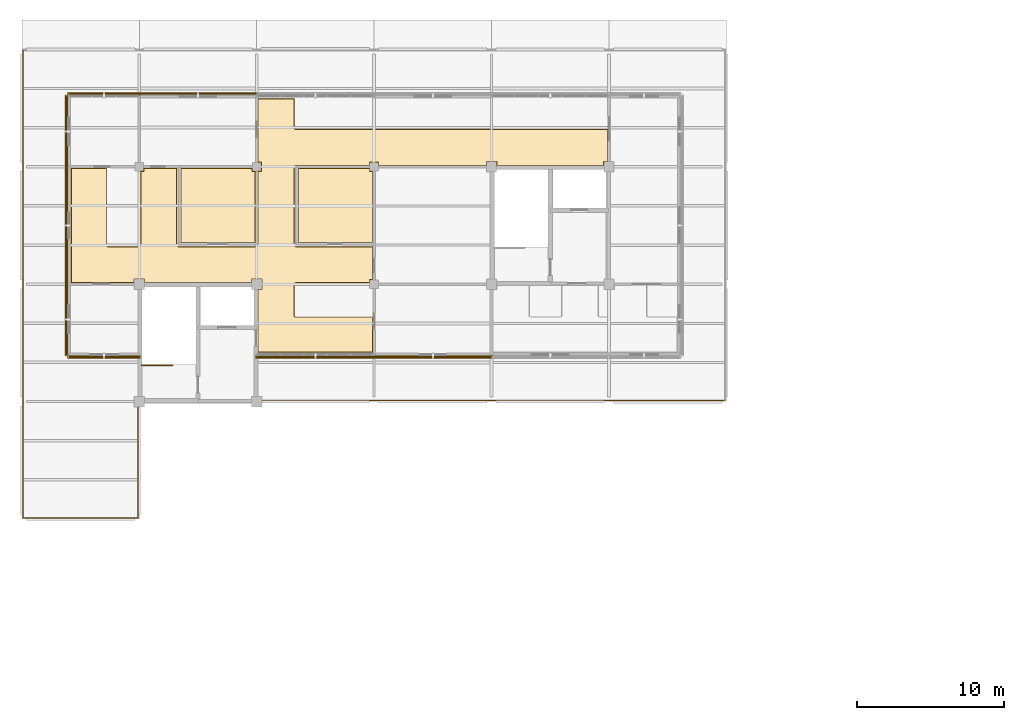
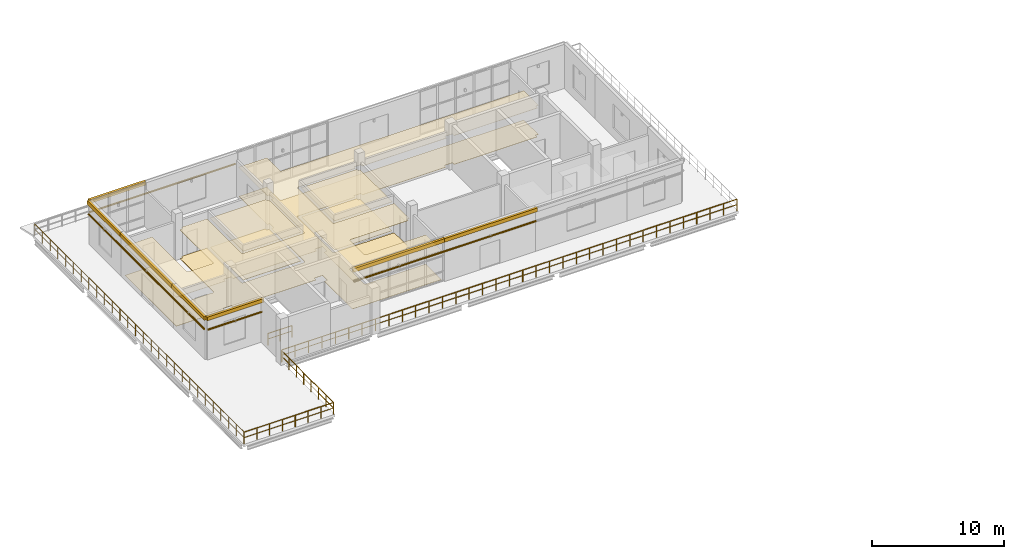
# One storey, part 21 of 24: 13 coverings, 8 shading devices, 5 railings.
"""IFC4 building model written with IfcOpenShell, lengths in metres."""

from ifc_helpers import new_model, si_unit, derived_unit, direction, frame, origin, origin_2d, place, context, subcontext, project, spatial, polyline, rectangle, circle, outline, extrude, material, layer, layer_set, material_profile, profile_set, type_object, element, save


model = new_model("IFC4")

# Units and contexts
model_context = context("Model", 3, precision=1e-05, world=origin(), true_north=direction((0.0, 1.0)))
body_context = subcontext(model_context, "Body", "Model", "MODEL_VIEW")
ifc_project = project(units=[si_unit("LENGTHUNIT", "METRE"), si_unit("AREAUNIT", "SQUARE_METRE"), si_unit("VOLUMEUNIT", "CUBIC_METRE"), si_unit("PLANEANGLEUNIT", "RADIAN"), si_unit("MASSUNIT", "GRAM", prefix="KILO"), derived_unit("THERMALTRANSMITTANCEUNIT", [(si_unit("MASSUNIT", "GRAM", prefix="KILO"), 1), (si_unit("TIMEUNIT", "SECOND"), -3), (si_unit("THERMODYNAMICTEMPERATUREUNIT", "KELVIN"), -1)])], contexts=[model_context])

# Site, building, storey
site_placement = place(None, origin())
site = spatial("IfcSite", under=ifc_project, at=site_placement, CompositionType="ELEMENT")
building_placement = place(site_placement, origin())
building = spatial("IfcBuilding", under=site, at=building_placement, Name="Veyamyaing Civic Hall", CompositionType="ELEMENT")
storey_placement = place(building_placement, frame((0.0, 0.0, 25.739990234375)))
storey = spatial("IfcBuildingStorey", under=building, at=storey_placement, Name="L06", CompositionType="ELEMENT", Elevation=25.739990234375)

# Coverings
ifc_material_1 = material(Name="White powder-coated aluminium 6063-T6", Category="aluminium")
ifc_layer_1 = layer(ifc_material_1, 0.2099609375, Name="White powder-coated aluminium 6063-T6")
ifc_layer_set_1 = layer_set([ifc_layer_1], Name="White powder-coated aluminium 6063-T6")
covering_type_1 = type_object("IfcCoveringType", Name="CL-03", PredefinedType="CLADDING", material=ifc_layer_set_1)
covering_1_placement = place(storey_placement, frame((5.60009765625, 91.0400390625, 3.73974609375), z_axis=(0.0, 0.0, 1.0), x_axis=(1.0, 0.0, 0.0)))
element("IfcCovering", 1, at=covering_1_placement, inside=storey, type_object=covering_type_1, Name="Executive fascia white ribbon CL-03 L06-NW-S-0", PredefinedType="CLADDING", context=body_context, shape_type="SweptSolid", body=[
    extrude(rectangle(XDim=4.97998046875, YDim=0.2099609375, at=origin_2d()), origin(), (0.0, 0.0, 1.0), 0.340087890625),
])
for number, where, z_axis, x_axis, name in (
    (2, (20.0, 91.0400390625, 3.73974609375), (0.0, 0.0, 1.0), (1.0, 0.0, 0.0), "Executive fascia white ribbon CL-03 L06-NW-S-2"),
    (3, (28.0, 91.0400390625, 3.73974609375), (0.0, 0.0, 1.0), (1.0, 0.0, 0.0), "Executive fascia white ribbon CL-03 L06-NW-S-3"),
):
    element("IfcCovering", number, at=place(storey_placement, frame(where, z_axis=z_axis, x_axis=x_axis)), inside=storey, type_object=covering_type_1, Name=name, PredefinedType="CLADDING", context=body_context, shape_type="SweptSolid", body=[
        extrude(rectangle(XDim=8.179931640625, YDim=0.2099609375, at=origin_2d()), origin(), (0.0, 0.0, 1.0), 0.340087890625),
    ])
for number, where, z_axis, x_axis, name in (
    (4, (5.60009765625, 108.9599609375, 3.73974609375), (0.0, 0.0, 1.0), (1.0, 0.0, 0.0), "Executive fascia white ribbon CL-03 L06-NW-N-0"),
    (5, (3.0400390625, 93.60009765625, 3.73974609375), (0.0, 0.0, 1.0), (0.0, 1.0, 0.0), "Executive fascia white ribbon CL-03 L06-NW-W-0"),
):
    element("IfcCovering", number, at=place(storey_placement, frame(where, z_axis=z_axis, x_axis=x_axis)), inside=storey, type_object=covering_type_1, Name=name, PredefinedType="CLADDING", context=body_context, shape_type="SweptSolid", body=[
        extrude(rectangle(XDim=4.97998046875, YDim=0.2099609375, at=origin_2d()), origin(), (0.0, 0.0, 1.0), 0.340087890625),
    ])
covering_2_placement = place(storey_placement, frame((3.0400390625, 100.0, 3.73974609375), z_axis=(0.0, 0.0, 1.0), x_axis=(0.0, 1.0, 0.0)))
element("IfcCovering", 6, at=covering_2_placement, inside=storey, type_object=covering_type_1, Name="Executive fascia white ribbon CL-03 L06-NW-W-1", PredefinedType="CLADDING", context=body_context, shape_type="SweptSolid", body=[
    extrude(rectangle(XDim=8.179931640625, YDim=0.2099609375, at=origin_2d()), origin(), (0.0, 0.0, 1.0), 0.340087890625),
])
covering_3_placement = place(storey_placement, frame((3.0400390625, 106.39990234375, 3.73974609375), z_axis=(0.0, 0.0, 1.0), x_axis=(0.0, 1.0, 0.0)))
element("IfcCovering", 7, at=covering_3_placement, inside=storey, type_object=covering_type_1, Name="Executive fascia white ribbon CL-03 L06-NW-W-2", PredefinedType="CLADDING", context=body_context, shape_type="SweptSolid", body=[
    extrude(rectangle(XDim=4.97998046875, YDim=0.2099609375, at=origin_2d()), origin(), (0.0, 0.0, 1.0), 0.340087890625),
])
ifc_material_2 = material(Name="Perforated acoustic gypsum ceiling board")
ifc_layer_2 = layer(ifc_material_2, 0.02490234375, Name="Perforated acoustic gypsum ceiling board")
ifc_layer_set_2 = layer_set([ifc_layer_2], Name="Perforated acoustic gypsum ceiling board")
covering_type_2 = type_object("IfcCoveringType", Name="CLG-01", PredefinedType="CEILING", material=ifc_layer_set_2)
covering_4_placement = place(storey_placement, frame((0.0, 0.0, 2.699951171875)))
element("IfcCovering", 8, at=covering_4_placement, inside=storey, type_object=covering_type_2, Name="Acoustic suspended ceiling CLG-01 L06-C01", PredefinedType="CEILING", context=body_context, shape_type="SweptSolid", body=[
    extrude(outline(polyline([(8.3349609375, 96.074951171875), (8.3349609375, 96.3349609375), (7.6650390625, 96.3349609375), (7.6650390625, 96.074951171875), (3.35498046875, 96.074951171875), (3.35498046875, 103.925048828125), (5.77490234375, 103.925048828125), (5.77490234375, 98.65185546875), (5.778564453125, 98.62841796875), (5.787841796875, 98.6083984375), (5.802490234375, 98.59228515625), (5.82080078125, 98.581298828125), (5.8525390625, 98.574951171875), (7.998291015625, 98.574951171875), (8.021728515625, 98.57861328125), (8.04150390625, 98.587890625), (8.057861328125, 98.6025390625), (8.068603515625, 98.620849609375), (8.074951171875, 98.652587890625), (8.074951171875, 103.715087890625), (8.284912109375, 103.715087890625), (8.284912109375, 103.925048828125), (10.574951171875, 103.925048828125), (10.574951171875, 98.65185546875), (10.57861328125, 98.627685546875), (10.583740234375, 98.615234375), (10.597412109375, 98.5966796875), (10.60791015625, 98.588134765625), (10.62841796875, 98.57861328125), (10.65185546875, 98.574951171875), (15.99755859375, 98.574951171875), (16.029296875, 98.581298828125), (16.04736328125, 98.59228515625), (16.06201171875, 98.6083984375), (16.071533203125, 98.62841796875), (16.074951171875, 98.65185546875), (16.074951171875, 103.715087890625), (16.284912109375, 103.715087890625), (16.284912109375, 104.284912109375), (16.074951171875, 104.284912109375), (16.074951171875, 108.64501953125), (18.574951171875, 108.64501953125), (18.574951171875, 106.652587890625), (18.581298828125, 106.62158203125), (18.597412109375, 106.597412109375), (18.6220703125, 106.580810546875), (18.643310546875, 106.575439453125), (39.925048828125, 106.574951171875), (39.925048828125, 104.3349609375), (39.6650390625, 104.3349609375), (39.6650390625, 104.074951171875), (32.3349609375, 104.074951171875), (32.3349609375, 104.3349609375), (31.6650390625, 104.3349609375), (31.6650390625, 104.074951171875), (24.284912109375, 104.074951171875), (24.284912109375, 104.284912109375), (23.715087890625, 104.284912109375), (23.715087890625, 104.074951171875), (18.652587890625, 104.074951171875), (18.62158203125, 104.06884765625), (18.597412109375, 104.052734375), (18.581298828125, 104.028564453125), (18.574951171875, 103.99755859375), (18.574951171875, 98.65185546875), (18.57861328125, 98.62841796875), (18.588134765625, 98.60791015625), (18.5966796875, 98.597412109375), (18.615234375, 98.583740234375), (18.627685546875, 98.57861328125), (18.65185546875, 98.574951171875), (23.925048828125, 98.574951171875), (23.925048828125, 96.284912109375), (23.715087890625, 96.284912109375), (23.715087890625, 96.074951171875), (18.652587890625, 96.074951171875), (18.620849609375, 96.068603515625), (18.6025390625, 96.057861328125), (18.587890625, 96.04150390625), (18.57861328125, 96.021728515625), (18.574951171875, 95.998291015625), (18.574951171875, 93.8525390625), (18.581298828125, 93.82080078125), (18.59228515625, 93.802490234375), (18.6083984375, 93.787841796875), (18.62841796875, 93.778564453125), (18.65185546875, 93.77490234375), (23.925048828125, 93.77490234375), (23.925048828125, 91.35498046875), (16.074951171875, 91.35498046875), (16.074951171875, 95.6650390625), (16.3349609375, 95.6650390625), (16.3349609375, 96.3349609375), (15.6650390625, 96.3349609375), (15.6650390625, 96.074951171875), (8.3349609375, 96.074951171875)])), origin(), (0.0, 0.0, 1.0), 0.025146484375),
])
covering_5_placement = place(storey_placement, frame((0.0, 0.0, 2.699951171875)))
element("IfcCovering", 9, at=covering_5_placement, inside=storey, type_object=covering_type_2, Name="Acoustic suspended ceiling CLG-01 L06-R001", PredefinedType="CEILING", context=body_context, shape_type="SweptSolid", body=[
    extrude(outline(polyline([(10.824951171875, 103.905029296875), (15.715087890625, 103.905029296875), (15.715087890625, 103.715087890625), (15.905029296875, 103.715087890625), (15.905029296875, 98.824951171875), (10.824951171875, 98.824951171875), (10.824951171875, 103.905029296875)])), origin(), (0.0, 0.0, 1.0), 0.025146484375),
])
covering_6_placement = place(storey_placement, frame((0.0, 0.0, 2.699951171875)))
element("IfcCovering", 10, at=covering_6_placement, inside=storey, type_object=covering_type_2, Name="Acoustic suspended ceiling CLG-01 L06-R002", PredefinedType="CEILING", context=body_context, shape_type="SweptSolid", body=[
    extrude(outline(polyline([(18.824951171875, 103.905029296875), (23.715087890625, 103.905029296875), (23.715087890625, 103.715087890625), (23.905029296875, 103.715087890625), (23.905029296875, 98.824951171875), (18.824951171875, 98.824951171875), (18.824951171875, 103.905029296875)])), origin(), (0.0, 0.0, 1.0), 0.025146484375),
])
ifc_material_3 = material(Name="Polished Mandalay marble and terrazzo flooring", Category="masonry")
ifc_layer_3 = layer(ifc_material_3, 0.030029296875, Name="Polished Mandalay marble and terrazzo flooring")
ifc_layer_set_3 = layer_set([ifc_layer_3], Name="Polished Mandalay marble and terrazzo flooring")
covering_type_3 = type_object("IfcCoveringType", Name="FLR-01", PredefinedType="FLOORING", material=ifc_layer_set_3)
covering_7_placement = place(storey_placement, origin())
element("IfcCovering", 11, at=covering_7_placement, inside=storey, type_object=covering_type_3, Name="Stone and terrazzo flooring FLR-01 L06-C01", PredefinedType="FLOORING", context=body_context, shape_type="SweptSolid", body=[
    extrude(outline(polyline([(8.360107421875, 96.10009765625), (8.360107421875, 96.360107421875), (7.639892578125, 96.360107421875), (7.639892578125, 96.10009765625), (3.3798828125, 96.10009765625), (3.3798828125, 103.89990234375), (5.75, 103.89990234375), (5.75, 98.64990234375), (5.75439453125, 98.62109375), (5.766845703125, 98.594482421875), (5.78662109375, 98.57275390625), (5.811767578125, 98.5576171875), (5.85009765625, 98.550048828125), (8.0, 98.550048828125), (8.029052734375, 98.55419921875), (8.0556640625, 98.56689453125), (8.077392578125, 98.586669921875), (8.09228515625, 98.61181640625), (8.10009765625, 98.64990234375), (8.10009765625, 103.68994140625), (8.31005859375, 103.68994140625), (8.31005859375, 103.89990234375), (10.550048828125, 103.89990234375), (10.550048828125, 98.64990234375), (10.55419921875, 98.62109375), (10.561767578125, 98.602783203125), (10.579345703125, 98.579345703125), (10.594482421875, 98.56689453125), (10.62109375, 98.55419921875), (10.64990234375, 98.550048828125), (16.0, 98.550048828125), (16.038330078125, 98.5576171875), (16.0634765625, 98.57275390625), (16.0830078125, 98.594482421875), (16.095703125, 98.62109375), (16.10009765625, 98.64990234375), (16.10009765625, 103.68994140625), (16.31005859375, 103.68994140625), (16.31005859375, 104.31005859375), (16.10009765625, 104.31005859375), (16.10009765625, 108.6201171875), (18.550048828125, 108.6201171875), (18.550048828125, 106.64990234375), (18.5576171875, 106.61181640625), (18.579345703125, 106.579345703125), (18.61181640625, 106.5576171875), (18.64013671875, 106.550537109375), (39.89990234375, 106.550048828125), (39.89990234375, 104.360107421875), (39.639892578125, 104.360107421875), (39.639892578125, 104.10009765625), (32.360107421875, 104.10009765625), (32.360107421875, 104.360107421875), (31.639892578125, 104.360107421875), (31.639892578125, 104.10009765625), (24.31005859375, 104.10009765625), (24.31005859375, 104.31005859375), (23.68994140625, 104.31005859375), (23.68994140625, 104.10009765625), (18.64990234375, 104.10009765625), (18.61181640625, 104.09228515625), (18.579345703125, 104.07080078125), (18.5576171875, 104.038330078125), (18.550048828125, 104.0), (18.550048828125, 98.64990234375), (18.55419921875, 98.62109375), (18.56689453125, 98.594482421875), (18.579345703125, 98.579345703125), (18.602783203125, 98.561767578125), (18.62109375, 98.55419921875), (18.64990234375, 98.550048828125), (23.89990234375, 98.550048828125), (23.89990234375, 96.31005859375), (23.68994140625, 96.31005859375), (23.68994140625, 96.10009765625), (18.64990234375, 96.10009765625), (18.61181640625, 96.09228515625), (18.586669921875, 96.077392578125), (18.56689453125, 96.0556640625), (18.55419921875, 96.029052734375), (18.550048828125, 96.0), (18.550048828125, 93.85009765625), (18.5576171875, 93.811767578125), (18.57275390625, 93.78662109375), (18.594482421875, 93.766845703125), (18.62109375, 93.75439453125), (18.64990234375, 93.75), (23.89990234375, 93.75), (23.89990234375, 91.3798828125), (16.10009765625, 91.3798828125), (16.10009765625, 95.639892578125), (16.360107421875, 95.639892578125), (16.360107421875, 96.360107421875), (15.639892578125, 96.360107421875), (15.639892578125, 96.10009765625), (8.360107421875, 96.10009765625)])), origin(), (0.0, 0.0, 1.0), 0.030029296875),
])
covering_8_placement = place(storey_placement, origin())
element("IfcCovering", 12, at=covering_8_placement, inside=storey, type_object=covering_type_3, Name="Stone and terrazzo flooring FLR-01 L06-R001", PredefinedType="FLOORING", context=body_context, shape_type="SweptSolid", body=[
    extrude(outline(polyline([(10.85009765625, 103.8798828125), (15.68994140625, 103.8798828125), (15.68994140625, 103.68994140625), (15.8798828125, 103.68994140625), (15.8798828125, 98.85009765625), (10.85009765625, 98.85009765625), (10.85009765625, 103.8798828125)])), origin(), (0.0, 0.0, 1.0), 0.030029296875),
])
covering_9_placement = place(storey_placement, origin())
element("IfcCovering", 13, at=covering_9_placement, inside=storey, type_object=covering_type_3, Name="Stone and terrazzo flooring FLR-01 L06-R002", PredefinedType="FLOORING", context=body_context, shape_type="SweptSolid", body=[
    extrude(outline(polyline([(18.85009765625, 103.8798828125), (23.68994140625, 103.8798828125), (23.68994140625, 103.68994140625), (23.8798828125, 103.68994140625), (23.8798828125, 98.85009765625), (18.85009765625, 98.85009765625), (18.85009765625, 103.8798828125)])), origin(), (0.0, 0.0, 1.0), 0.030029296875),
])

# Railings
ifc_material_4 = material(Name="Steel S355J2", Category="steel")
railing_type = type_object("IfcRailingType", Name="RL-01", PredefinedType="BALUSTRADE", material=ifc_material_4)
railing_1_placement = place(storey_placement, frame((47.919921875, 88.080078125, 0.0)))
element("IfcRailing", 14, at=railing_1_placement, inside=storey, type_object=railing_type, Name="Setback terrace balustrade RL-01 L06.1.3", PredefinedType="BALUSTRADE", context=body_context, shape_type="SweptSolid", body=[
    extrude(circle(Radius=0.02392578125, at=origin_2d()), frame((0.0, 0.0, 1.076171875), z_axis=(-1.0, 0.0, 0.0), x_axis=(0.0, -1.0, 0.0)), (0.0, 0.0, 1.0), 39.919921875),
    extrude(circle(Radius=0.01416015625, at=origin_2d()), frame((0.0, 0.0, 0.572021484375), z_axis=(-1.0, 0.0, 0.0), x_axis=(0.0, -1.0, 0.0)), (0.0, 0.0, 1.0), 39.919921875),
    extrude(circle(Radius=0.02099609375, at=origin_2d()), origin(), (0.0, 0.0, 1.0), 1.052001953125),
    extrude(circle(Radius=0.02099609375, at=origin_2d()), frame((-1.174072265625, 0.0, 0.0)), (0.0, 0.0, 1.0), 1.052001953125),
    extrude(circle(Radius=0.02099609375, at=origin_2d()), frame((-2.34814453125, 0.0, 0.0)), (0.0, 0.0, 1.0), 1.052001953125),
    extrude(circle(Radius=0.02099609375, at=origin_2d()), frame((-3.5224609375, 0.0, 0.0)), (0.0, 0.0, 1.0), 1.052001953125),
    extrude(circle(Radius=0.02099609375, at=origin_2d()), frame((-4.696533203125, 0.0, 0.0)), (0.0, 0.0, 1.0), 1.052001953125),
    extrude(circle(Radius=0.02099609375, at=origin_2d()), frame((-5.87060546875, 0.0, 0.0)), (0.0, 0.0, 1.0), 1.052001953125),
    extrude(circle(Radius=0.02099609375, at=origin_2d()), frame((-7.044677734375, 0.0, 0.0)), (0.0, 0.0, 1.0), 1.052001953125),
    extrude(circle(Radius=0.02099609375, at=origin_2d()), frame((-8.21875, 0.0, 0.0)), (0.0, 0.0, 1.0), 1.052001953125),
    extrude(circle(Radius=0.02099609375, at=origin_2d()), frame((-9.392822265625, 0.0, 0.0)), (0.0, 0.0, 1.0), 1.052001953125),
    extrude(circle(Radius=0.02099609375, at=origin_2d()), frame((-10.567138671875, 0.0, 0.0)), (0.0, 0.0, 1.0), 1.052001953125),
    extrude(circle(Radius=0.02099609375, at=origin_2d()), frame((-11.7412109375, 0.0, 0.0)), (0.0, 0.0, 1.0), 1.052001953125),
    extrude(circle(Radius=0.02099609375, at=origin_2d()), frame((-12.915283203125, 0.0, 0.0)), (0.0, 0.0, 1.0), 1.052001953125),
    extrude(circle(Radius=0.02099609375, at=origin_2d()), frame((-14.08935546875, 0.0, 0.0)), (0.0, 0.0, 1.0), 1.052001953125),
    extrude(circle(Radius=0.02099609375, at=origin_2d()), frame((-15.263427734375, 0.0, 0.0)), (0.0, 0.0, 1.0), 1.052001953125),
    extrude(circle(Radius=0.02099609375, at=origin_2d()), frame((-16.4375, 0.0, 0.0)), (0.0, 0.0, 1.0), 1.052001953125),
    extrude(circle(Radius=0.02099609375, at=origin_2d()), frame((-17.61181640625, 0.0, 0.0)), (0.0, 0.0, 1.0), 1.052001953125),
    extrude(circle(Radius=0.02099609375, at=origin_2d()), frame((-18.785888671875, 0.0, 0.0)), (0.0, 0.0, 1.0), 1.052001953125),
    extrude(circle(Radius=0.02099609375, at=origin_2d()), frame((-19.9599609375, 0.0, 0.0)), (0.0, 0.0, 1.0), 1.052001953125),
    extrude(circle(Radius=0.02099609375, at=origin_2d()), frame((-21.134033203125, 0.0, 0.0)), (0.0, 0.0, 1.0), 1.052001953125),
    extrude(circle(Radius=0.02099609375, at=origin_2d()), frame((-22.30810546875, 0.0, 0.0)), (0.0, 0.0, 1.0), 1.052001953125),
    extrude(circle(Radius=0.02099609375, at=origin_2d()), frame((-23.482421875, 0.0, 0.0)), (0.0, 0.0, 1.0), 1.052001953125),
    extrude(circle(Radius=0.02099609375, at=origin_2d()), frame((-24.656494140625, 0.0, 0.0)), (0.0, 0.0, 1.0), 1.052001953125),
    extrude(circle(Radius=0.02099609375, at=origin_2d()), frame((-25.83056640625, 0.0, 0.0)), (0.0, 0.0, 1.0), 1.052001953125),
    extrude(circle(Radius=0.02099609375, at=origin_2d()), frame((-27.004638671875, 0.0, 0.0)), (0.0, 0.0, 1.0), 1.052001953125),
    extrude(circle(Radius=0.02099609375, at=origin_2d()), frame((-28.1787109375, 0.0, 0.0)), (0.0, 0.0, 1.0), 1.052001953125),
    extrude(circle(Radius=0.02099609375, at=origin_2d()), frame((-29.352783203125, 0.0, 0.0)), (0.0, 0.0, 1.0), 1.052001953125),
    extrude(circle(Radius=0.02099609375, at=origin_2d()), frame((-30.527099609375, 0.0, 0.0)), (0.0, 0.0, 1.0), 1.052001953125),
    extrude(circle(Radius=0.02099609375, at=origin_2d()), frame((-31.701171875, 0.0, 0.0)), (0.0, 0.0, 1.0), 1.052001953125),
    extrude(circle(Radius=0.02099609375, at=origin_2d()), frame((-32.875244140625, 0.0, 0.0)), (0.0, 0.0, 1.0), 1.052001953125),
    extrude(circle(Radius=0.02099609375, at=origin_2d()), frame((-34.04931640625, 0.0, 0.0)), (0.0, 0.0, 1.0), 1.052001953125),
    extrude(circle(Radius=0.02099609375, at=origin_2d()), frame((-35.223388671875, 0.0, 0.0)), (0.0, 0.0, 1.0), 1.052001953125),
    extrude(circle(Radius=0.02099609375, at=origin_2d()), frame((-36.3974609375, 0.0, 0.0)), (0.0, 0.0, 1.0), 1.052001953125),
    extrude(circle(Radius=0.02099609375, at=origin_2d()), frame((-37.57177734375, 0.0, 0.0)), (0.0, 0.0, 1.0), 1.052001953125),
    extrude(circle(Radius=0.02099609375, at=origin_2d()), frame((-38.745849609375, 0.0, 0.0)), (0.0, 0.0, 1.0), 1.052001953125),
    extrude(circle(Radius=0.02099609375, at=origin_2d()), frame((-39.919921875, 0.0, 0.0)), (0.0, 0.0, 1.0), 1.052001953125),
])
railing_2_placement = place(storey_placement, frame((7.919921875, 88.0, 0.0)))
element("IfcRailing", 15, at=railing_2_placement, inside=storey, type_object=railing_type, Name="Setback terrace balustrade RL-01 L06.1.20", PredefinedType="BALUSTRADE", context=body_context, shape_type="SweptSolid", body=[
    extrude(circle(Radius=0.02392578125, at=origin_2d()), frame((0.0, 0.0, 1.076171875), z_axis=(0.0, -1.0, 0.0), x_axis=(1.0, 0.0, 0.0)), (0.0, 0.0, 1.0), 7.919921875),
    extrude(circle(Radius=0.01416015625, at=origin_2d()), frame((0.0, 0.0, 0.572021484375), z_axis=(0.0, -1.0, 0.0), x_axis=(1.0, 0.0, 0.0)), (0.0, 0.0, 1.0), 7.919921875),
    extrude(circle(Radius=0.02099609375, at=origin_2d()), origin(), (0.0, 0.0, 1.0), 1.052001953125),
    extrude(circle(Radius=0.02099609375, at=origin_2d()), frame((0.0, -1.13134765625, 0.0)), (0.0, 0.0, 1.0), 1.052001953125),
    extrude(circle(Radius=0.02099609375, at=origin_2d()), frame((0.0, -2.262939453125, 0.0)), (0.0, 0.0, 1.0), 1.052001953125),
    extrude(circle(Radius=0.02099609375, at=origin_2d()), frame((0.0, -3.394287109375, 0.0)), (0.0, 0.0, 1.0), 1.052001953125),
    extrude(circle(Radius=0.02099609375, at=origin_2d()), frame((0.0, -4.525634765625, 0.0)), (0.0, 0.0, 1.0), 1.052001953125),
    extrude(circle(Radius=0.02099609375, at=origin_2d()), frame((0.0, -5.656982421875, 0.0)), (0.0, 0.0, 1.0), 1.052001953125),
    extrude(circle(Radius=0.02099609375, at=origin_2d()), frame((0.0, -6.78857421875, 0.0)), (0.0, 0.0, 1.0), 1.052001953125),
    extrude(circle(Radius=0.02099609375, at=origin_2d()), frame((0.0, -7.919921875, 0.0)), (0.0, 0.0, 1.0), 1.052001953125),
])
railing_3_placement = place(storey_placement, frame((7.919921875, 80.080078125, 0.0)))
element("IfcRailing", 16, at=railing_3_placement, inside=storey, type_object=railing_type, Name="Setback terrace balustrade RL-01 L06.1.21", PredefinedType="BALUSTRADE", context=body_context, shape_type="SweptSolid", body=[
    extrude(circle(Radius=0.02392578125, at=origin_2d()), frame((0.0, 0.0, 1.076171875), z_axis=(-1.0, 0.0, 0.0), x_axis=(0.0, -1.0, 0.0)), (0.0, 0.0, 1.0), 7.83984375),
    extrude(circle(Radius=0.01416015625, at=origin_2d()), frame((0.0, 0.0, 0.572021484375), z_axis=(-1.0, 0.0, 0.0), x_axis=(0.0, -1.0, 0.0)), (0.0, 0.0, 1.0), 7.83984375),
    extrude(circle(Radius=0.02099609375, at=origin_2d()), origin(), (0.0, 0.0, 1.0), 1.052001953125),
    extrude(circle(Radius=0.02099609375, at=origin_2d()), frame((-1.119873046875, 0.0, 0.0)), (0.0, 0.0, 1.0), 1.052001953125),
    extrude(circle(Radius=0.02099609375, at=origin_2d()), frame((-2.239990234375, 0.0, 0.0)), (0.0, 0.0, 1.0), 1.052001953125),
    extrude(circle(Radius=0.02099609375, at=origin_2d()), frame((-3.35986328125, 0.0, 0.0)), (0.0, 0.0, 1.0), 1.052001953125),
    extrude(circle(Radius=0.02099609375, at=origin_2d()), frame((-4.47998046875, 0.0, 0.0)), (0.0, 0.0, 1.0), 1.052001953125),
    extrude(circle(Radius=0.02099609375, at=origin_2d()), frame((-5.599853515625, 0.0, 0.0)), (0.0, 0.0, 1.0), 1.052001953125),
    extrude(circle(Radius=0.02099609375, at=origin_2d()), frame((-6.719970703125, 0.0, 0.0)), (0.0, 0.0, 1.0), 1.052001953125),
    extrude(circle(Radius=0.02099609375, at=origin_2d()), frame((-7.83984375, 0.0, 0.0)), (0.0, 0.0, 1.0), 1.052001953125),
])
railing_4_placement = place(storey_placement, frame((0.080078125, 80.080078125, 0.0)))
element("IfcRailing", 17, at=railing_4_placement, inside=storey, type_object=railing_type, Name="Setback terrace balustrade RL-01 L06.1.22", PredefinedType="BALUSTRADE", context=body_context, shape_type="SweptSolid", body=[
    extrude(circle(Radius=0.02392578125, at=origin_2d()), frame((0.0, 0.0, 1.076171875), z_axis=(0.0, 1.0, 0.0), x_axis=(-1.0, 0.0, 0.0)), (0.0, 0.0, 1.0), 31.83984375),
    extrude(circle(Radius=0.01416015625, at=origin_2d()), frame((0.0, 0.0, 0.572021484375), z_axis=(0.0, 1.0, 0.0), x_axis=(-1.0, 0.0, 0.0)), (0.0, 0.0, 1.0), 31.83984375),
    extrude(circle(Radius=0.02099609375, at=origin_2d()), origin(), (0.0, 0.0, 1.0), 1.052001953125),
    extrude(circle(Radius=0.02099609375, at=origin_2d()), frame((0.0, 1.17919921875, 0.0)), (0.0, 0.0, 1.0), 1.052001953125),
    extrude(circle(Radius=0.02099609375, at=origin_2d()), frame((0.0, 2.3583984375, 0.0)), (0.0, 0.0, 1.0), 1.052001953125),
    extrude(circle(Radius=0.02099609375, at=origin_2d()), frame((0.0, 3.537841796875, 0.0)), (0.0, 0.0, 1.0), 1.052001953125),
    extrude(circle(Radius=0.02099609375, at=origin_2d()), frame((0.0, 4.717041015625, 0.0)), (0.0, 0.0, 1.0), 1.052001953125),
    extrude(circle(Radius=0.02099609375, at=origin_2d()), frame((0.0, 5.896240234375, 0.0)), (0.0, 0.0, 1.0), 1.052001953125),
    extrude(circle(Radius=0.02099609375, at=origin_2d()), frame((0.0, 7.075439453125, 0.0)), (0.0, 0.0, 1.0), 1.052001953125),
    extrude(circle(Radius=0.02099609375, at=origin_2d()), frame((0.0, 8.2548828125, 0.0)), (0.0, 0.0, 1.0), 1.052001953125),
    extrude(circle(Radius=0.02099609375, at=origin_2d()), frame((0.0, 9.43408203125, 0.0)), (0.0, 0.0, 1.0), 1.052001953125),
    extrude(circle(Radius=0.02099609375, at=origin_2d()), frame((0.0, 10.61328125, 0.0)), (0.0, 0.0, 1.0), 1.052001953125),
    extrude(circle(Radius=0.02099609375, at=origin_2d()), frame((0.0, 11.79248046875, 0.0)), (0.0, 0.0, 1.0), 1.052001953125),
    extrude(circle(Radius=0.02099609375, at=origin_2d()), frame((0.0, 12.9716796875, 0.0)), (0.0, 0.0, 1.0), 1.052001953125),
    extrude(circle(Radius=0.02099609375, at=origin_2d()), frame((0.0, 14.151123046875, 0.0)), (0.0, 0.0, 1.0), 1.052001953125),
    extrude(circle(Radius=0.02099609375, at=origin_2d()), frame((0.0, 15.330322265625, 0.0)), (0.0, 0.0, 1.0), 1.052001953125),
    extrude(circle(Radius=0.02099609375, at=origin_2d()), frame((0.0, 16.509521484375, 0.0)), (0.0, 0.0, 1.0), 1.052001953125),
    extrude(circle(Radius=0.02099609375, at=origin_2d()), frame((0.0, 17.688720703125, 0.0)), (0.0, 0.0, 1.0), 1.052001953125),
    extrude(circle(Radius=0.02099609375, at=origin_2d()), frame((0.0, 18.8681640625, 0.0)), (0.0, 0.0, 1.0), 1.052001953125),
    extrude(circle(Radius=0.02099609375, at=origin_2d()), frame((0.0, 20.04736328125, 0.0)), (0.0, 0.0, 1.0), 1.052001953125),
    extrude(circle(Radius=0.02099609375, at=origin_2d()), frame((0.0, 21.2265625, 0.0)), (0.0, 0.0, 1.0), 1.052001953125),
    extrude(circle(Radius=0.02099609375, at=origin_2d()), frame((0.0, 22.40576171875, 0.0)), (0.0, 0.0, 1.0), 1.052001953125),
    extrude(circle(Radius=0.02099609375, at=origin_2d()), frame((0.0, 23.5849609375, 0.0)), (0.0, 0.0, 1.0), 1.052001953125),
    extrude(circle(Radius=0.02099609375, at=origin_2d()), frame((0.0, 24.764404296875, 0.0)), (0.0, 0.0, 1.0), 1.052001953125),
    extrude(circle(Radius=0.02099609375, at=origin_2d()), frame((0.0, 25.943603515625, 0.0)), (0.0, 0.0, 1.0), 1.052001953125),
    extrude(circle(Radius=0.02099609375, at=origin_2d()), frame((0.0, 27.122802734375, 0.0)), (0.0, 0.0, 1.0), 1.052001953125),
    extrude(circle(Radius=0.02099609375, at=origin_2d()), frame((0.0, 28.302001953125, 0.0)), (0.0, 0.0, 1.0), 1.052001953125),
    extrude(circle(Radius=0.02099609375, at=origin_2d()), frame((0.0, 29.4814453125, 0.0)), (0.0, 0.0, 1.0), 1.052001953125),
    extrude(circle(Radius=0.02099609375, at=origin_2d()), frame((0.0, 30.66064453125, 0.0)), (0.0, 0.0, 1.0), 1.052001953125),
    extrude(circle(Radius=0.02099609375, at=origin_2d()), frame((0.0, 31.83984375, 0.0)), (0.0, 0.0, 1.0), 1.052001953125),
])
railing_5_placement = place(storey_placement, frame((8.159912109375, 90.47998046875, 0.0)))
element("IfcRailing", 18, at=railing_5_placement, inside=storey, type_object=railing_type, Name="Top-landing stair well guard RL-01 ST-01 L06", PredefinedType="BALUSTRADE", context=body_context, shape_type="SweptSolid", body=[
    extrude(circle(Radius=0.02392578125, at=origin_2d()), frame((0.0, 0.0, 1.076171875), z_axis=(1.0, 0.0, 0.0), x_axis=(0.0, 1.0, 0.0)), (0.0, 0.0, 1.0), 2.10009765625),
    extrude(circle(Radius=0.01416015625, at=origin_2d()), frame((0.0, 0.0, 0.572021484375), z_axis=(1.0, 0.0, 0.0), x_axis=(0.0, 1.0, 0.0)), (0.0, 0.0, 1.0), 2.10009765625),
    extrude(circle(Radius=0.02099609375, at=origin_2d()), origin(), (0.0, 0.0, 1.0), 1.052001953125),
    extrude(circle(Radius=0.02099609375, at=origin_2d()), frame((1.050048828125, 0.0, 0.0)), (0.0, 0.0, 1.0), 1.052001953125),
    extrude(circle(Radius=0.02099609375, at=origin_2d()), frame((2.10009765625, 0.0, 0.0)), (0.0, 0.0, 1.0), 1.052001953125),
])

# Shading devices
ifc_material_profile = material_profile(ifc_material_1, circle(Radius=0.074951171875, at=origin_2d()), Name="SHADE-TUBE-150")
ifc_profile_set = profile_set([ifc_material_profile], Name="White powder-coated aluminium 6063-T6")
shading_device_type = type_object("IfcShadingDeviceType", Name="SH-03", PredefinedType="USERDEFINED", material=ifc_profile_set)
shading_device_1_placement = place(storey_placement, frame((3.199951171875, 91.010009765625, 2.85009765625), z_axis=(1.0, 0.0, 0.0), x_axis=(0.0, 1.0, 0.0)))
element("IfcShadingDevice", 19, at=shading_device_1_placement, inside=storey, type_object=shading_device_type, Name="Executive sunshade ribbon SH-03 L06-NW-S-0", ObjectType="SUNSHADE", PredefinedType="USERDEFINED", context=body_context, shape_type="SweptSolid", body=[
    extrude(circle(Radius=0.074951171875, at=origin_2d()), origin(), (0.0, 0.0, 1.0), 4.800048828125),
])
for number, where, z_axis, x_axis, name in (
    (20, (16.0, 91.010009765625, 2.85009765625), (1.0, 0.0, 0.0), (0.0, 1.0, 0.0), "Executive sunshade ribbon SH-03 L06-NW-S-2"),
    (21, (24.0, 91.010009765625, 2.85009765625), (1.0, 0.0, 0.0), (0.0, 1.0, 0.0), "Executive sunshade ribbon SH-03 L06-NW-S-3"),
):
    element("IfcShadingDevice", number, at=place(storey_placement, frame(where, z_axis=z_axis, x_axis=x_axis)), inside=storey, type_object=shading_device_type, Name=name, ObjectType="SUNSHADE", PredefinedType="USERDEFINED", context=body_context, shape_type="SweptSolid", body=[
        extrude(circle(Radius=0.074951171875, at=origin_2d()), origin(), (0.0, 0.0, 1.0), 8.0),
    ])
shading_device_2_placement = place(storey_placement, frame((3.199951171875, 108.989990234375, 2.85009765625), z_axis=(1.0, 0.0, 0.0), x_axis=(0.0, 1.0, 0.0)))
element("IfcShadingDevice", 22, at=shading_device_2_placement, inside=storey, type_object=shading_device_type, Name="Executive sunshade ribbon SH-03 L06-NW-N-0", ObjectType="SUNSHADE", PredefinedType="USERDEFINED", context=body_context, shape_type="SweptSolid", body=[
    extrude(circle(Radius=0.074951171875, at=origin_2d()), origin(), (0.0, 0.0, 1.0), 4.800048828125),
])
shading_device_3_placement = place(storey_placement, frame((8.0, 108.989990234375, 2.85009765625), z_axis=(1.0, 0.0, 0.0), x_axis=(0.0, 1.0, 0.0)))
element("IfcShadingDevice", 23, at=shading_device_3_placement, inside=storey, type_object=shading_device_type, Name="Executive sunshade ribbon SH-03 L06-NW-N-1", ObjectType="SUNSHADE", PredefinedType="USERDEFINED", context=body_context, shape_type="SweptSolid", body=[
    extrude(circle(Radius=0.074951171875, at=origin_2d()), origin(), (0.0, 0.0, 1.0), 8.0),
])
shading_device_4_placement = place(storey_placement, frame((3.010009765625, 91.199951171875, 2.85009765625), z_axis=(0.0, 1.0, 0.0), x_axis=(-1.0, 0.0, 0.0)))
element("IfcShadingDevice", 24, at=shading_device_4_placement, inside=storey, type_object=shading_device_type, Name="Executive sunshade ribbon SH-03 L06-NW-W-0", ObjectType="SUNSHADE", PredefinedType="USERDEFINED", context=body_context, shape_type="SweptSolid", body=[
    extrude(circle(Radius=0.074951171875, at=origin_2d()), origin(), (0.0, 0.0, 1.0), 4.800048828125),
])
shading_device_5_placement = place(storey_placement, frame((3.010009765625, 96.0, 2.85009765625), z_axis=(0.0, 1.0, 0.0), x_axis=(-1.0, 0.0, 0.0)))
element("IfcShadingDevice", 25, at=shading_device_5_placement, inside=storey, type_object=shading_device_type, Name="Executive sunshade ribbon SH-03 L06-NW-W-1", ObjectType="SUNSHADE", PredefinedType="USERDEFINED", context=body_context, shape_type="SweptSolid", body=[
    extrude(circle(Radius=0.074951171875, at=origin_2d()), origin(), (0.0, 0.0, 1.0), 8.0),
])
shading_device_6_placement = place(storey_placement, frame((3.010009765625, 104.0, 2.85009765625), z_axis=(0.0, 1.0, 0.0), x_axis=(-1.0, 0.0, 0.0)))
element("IfcShadingDevice", 26, at=shading_device_6_placement, inside=storey, type_object=shading_device_type, Name="Executive sunshade ribbon SH-03 L06-NW-W-2", ObjectType="SUNSHADE", PredefinedType="USERDEFINED", context=body_context, shape_type="SweptSolid", body=[
    extrude(circle(Radius=0.074951171875, at=origin_2d()), origin(), (0.0, 0.0, 1.0), 4.800048828125),
])

save(model, "model.ifc")
